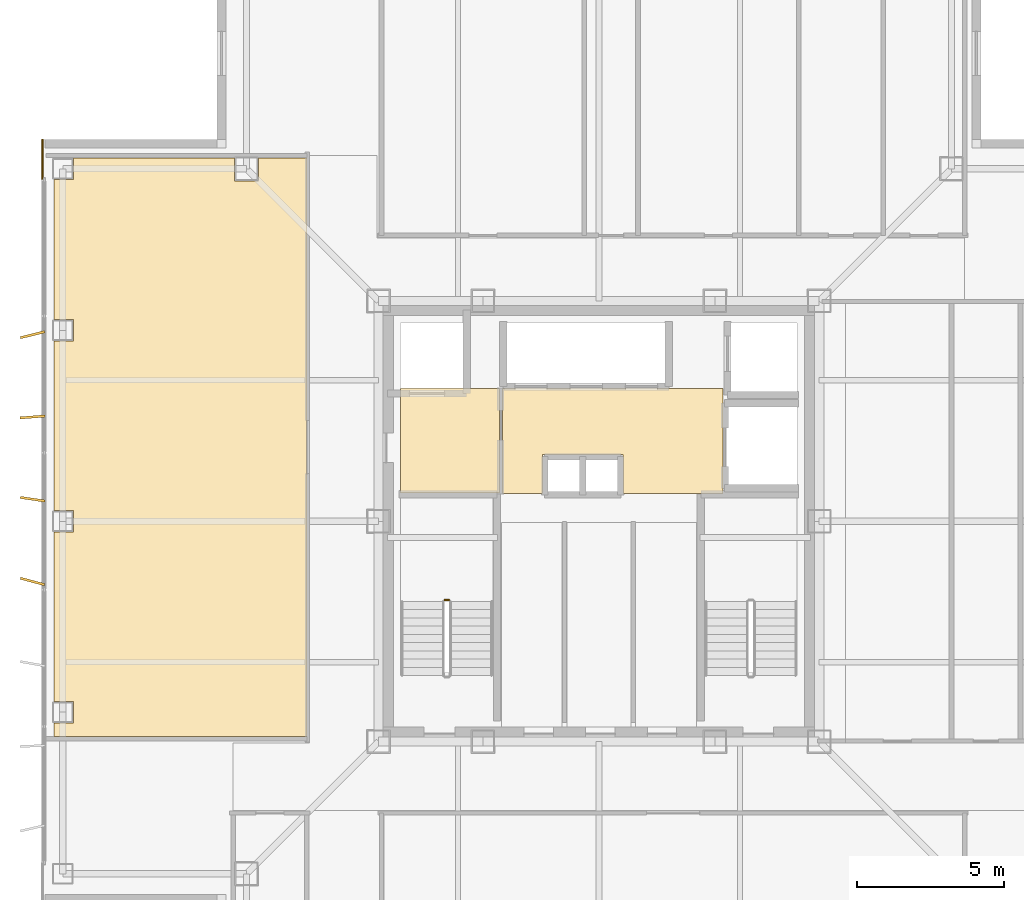
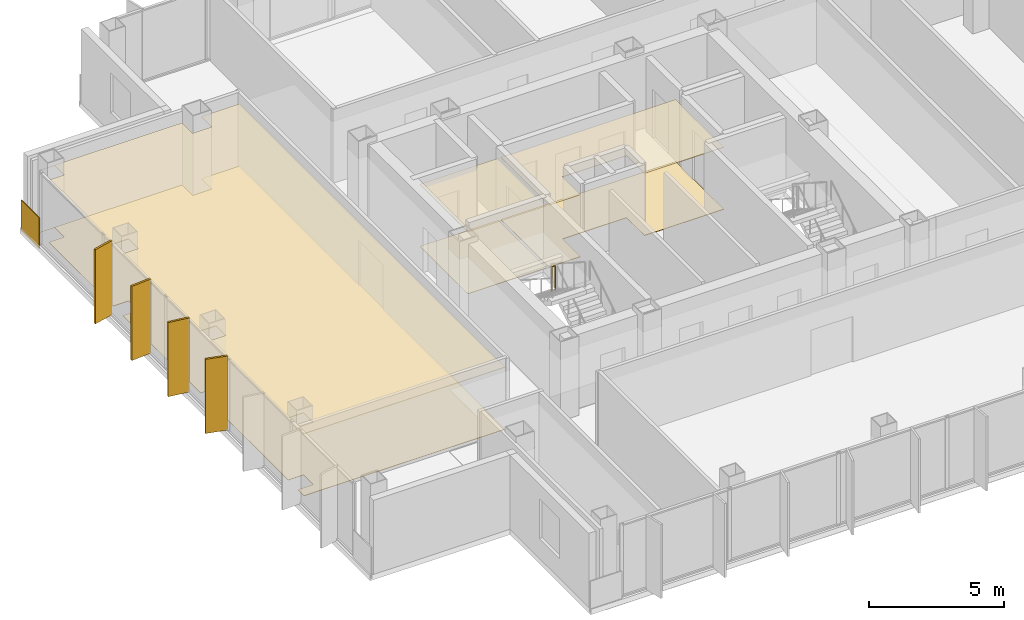
# One storey, part 12 of 15: 7 coverings, 4 shading devices, 1 railing.
"""IFC4 building model written with IfcOpenShell, lengths in metres."""

from ifc_helpers import new_model, si_unit, direction, frame, frame_2d, origin, origin_2d, place, context, subcontext, project, spatial, polyline, rectangle, circle, outline, extrude, material, layer, layer_set, type_object, element, save


model = new_model("IFC4")

# Units and contexts
model_context = context("Model", 3, precision=1e-05, world=origin(), true_north=direction((0.0, 1.0)))
body_context = subcontext(model_context, "Body", "Model", "MODEL_VIEW")
ifc_project = project(units=[si_unit("LENGTHUNIT", "METRE"), si_unit("AREAUNIT", "SQUARE_METRE"), si_unit("VOLUMEUNIT", "CUBIC_METRE"), si_unit("PLANEANGLEUNIT", "RADIAN"), si_unit("MASSUNIT", "GRAM", prefix="KILO")], contexts=[model_context])

# Site, building, storey
site_placement = place(None, origin())
site = spatial("IfcSite", under=ifc_project, at=site_placement, CompositionType="ELEMENT")
building_placement = place(site_placement, origin())
building = spatial("IfcBuilding", under=site, at=building_placement, Name="Trevonay Congress Spire", CompositionType="ELEMENT")
storey_placement = place(building_placement, frame((0.0, 0.0, 250.39990234375)))
storey = spatial("IfcBuildingStorey", under=building, at=storey_placement, Name="L65", CompositionType="ELEMENT", Elevation=250.39990234375)

# Coverings
ifc_material_1 = material(Name="Acoustic Mineral Fibre Board", Category="gypsum")
ifc_layer_1 = layer(ifc_material_1, 0.02490234375, Name="Acoustic Mineral Fibre Board")
ifc_layer_set_1 = layer_set([ifc_layer_1], Name="Acoustic Mineral Fibre Board")
covering_type_1 = type_object("IfcCoveringType", Name="COV-CEIL-ACOUSTIC", PredefinedType="CEILING", material=ifc_layer_set_1)
covering_1_placement = place(storey_placement, frame((0.0, 0.0, 2.81005859375)))
element("IfcCovering", 1, at=covering_1_placement, inside=storey, type_object=covering_type_1, Name="L65 Firefighting Lift Lobby West acoustic suspended ceiling", PredefinedType="CEILING", context=body_context, shape_type="SweptSolid", body=[
    extrude(outline(polyline([(-6.75, 0.9599609375), (-3.3798828125, 0.9599609375), (-3.3798828125, 4.52001953125), (-6.75, 4.52001953125), (-6.75, 0.9599609375)])), origin(), (0.0, 0.0, 1.0), 0.025146484375),
])
covering_2_placement = place(storey_placement, frame((0.0, 0.0, 2.81005859375)))
element("IfcCovering", 2, at=covering_2_placement, inside=storey, type_object=covering_type_1, Name="L65 Central and High-Rise Passenger Lift Lobby acoustic suspended ceiling", PredefinedType="CEILING", context=body_context, shape_type="SweptSolid", body=[
    extrude(outline(polyline([(-3.280029296875, 0.949951171875), (-1.919921875, 0.949951171875), (-1.919921875, 2.280029296875), (0.820068359375, 2.280029296875), (0.820068359375, 0.949951171875), (4.219970703125, 0.949951171875), (4.219970703125, 4.52001953125), (-3.280029296875, 4.52001953125), (-3.280029296875, 0.949951171875)])), origin(), (0.0, 0.0, 1.0), 0.025146484375),
])
covering_3_placement = place(storey_placement, frame((0.0, 0.0, 2.81005859375)))
element("IfcCovering", 3, at=covering_3_placement, inside=storey, type_object=covering_type_1, Name="L65 Mercosur Ministerial Council Chamber acoustic suspended ceiling", PredefinedType="CEILING", context=body_context, shape_type="SweptSolid", body=[
    extrude(outline(polyline([(-9.929931640625, 12.3701171875), (-9.929931640625, -7.320068359375), (-18.550048828125, -7.320068359375), (-18.550048828125, -6.860107421875), (-17.889892578125, -6.860107421875), (-17.889892578125, -6.139892578125), (-18.550048828125, -6.139892578125), (-18.550048828125, -0.360107421875), (-17.889892578125, -0.360107421875), (-17.889892578125, 0.360107421875), (-18.550048828125, 0.360107421875), (-18.550048828125, 6.139892578125), (-17.889892578125, 6.139892578125), (-17.889892578125, 6.860107421875), (-18.550048828125, 6.860107421875), (-18.550048828125, 11.639892578125), (-17.889892578125, 11.639892578125), (-17.889892578125, 12.360107421875), (-18.550048828125, 12.360107421875), (-18.550048828125, 12.3701171875), (-12.409912109375, 12.3701171875), (-12.409912109375, 11.590087890625), (-11.590087890625, 11.590087890625), (-11.590087890625, 12.3701171875), (-9.929931640625, 12.3701171875)])), origin(), (0.0, 0.0, 1.0), 0.025146484375),
])
ifc_material_2 = material(Name="Polished Granite Floor Tile", Category="masonry")
ifc_layer_2 = layer(ifc_material_2, 0.02001953125, Name="Polished Granite Floor Tile")
ifc_layer_set_2 = layer_set([ifc_layer_2], Name="Polished Granite Floor Tile")
covering_type_2 = type_object("IfcCoveringType", Name="COV-FLOOR-STONE", PredefinedType="FLOORING", material=ifc_layer_set_2)
covering_4_placement = place(storey_placement, origin())
element("IfcCovering", 4, at=covering_4_placement, inside=storey, type_object=covering_type_2, Name="L65 Firefighting Lift Lobby West floor finish", PredefinedType="FLOORING", context=body_context, shape_type="SweptSolid", body=[
    extrude(outline(polyline([(-6.75, 0.9599609375), (-3.3798828125, 0.9599609375), (-3.3798828125, 4.52001953125), (-6.75, 4.52001953125), (-6.75, 0.9599609375)])), origin(), (0.0, 0.0, 1.0), 0.02001953125),
])
covering_5_placement = place(storey_placement, origin())
element("IfcCovering", 5, at=covering_5_placement, inside=storey, type_object=covering_type_2, Name="L65 Central and High-Rise Passenger Lift Lobby floor finish", PredefinedType="FLOORING", context=body_context, shape_type="SweptSolid", body=[
    extrude(outline(polyline([(-3.280029296875, 0.949951171875), (-1.919921875, 0.949951171875), (-1.919921875, 2.280029296875), (0.820068359375, 2.280029296875), (0.820068359375, 0.949951171875), (4.219970703125, 0.949951171875), (4.219970703125, 4.52001953125), (-3.280029296875, 4.52001953125), (-3.280029296875, 0.949951171875)])), origin(), (0.0, 0.0, 1.0), 0.02001953125),
])
ifc_material_3 = material(Name="Engineered Oak Flooring", Category="wood")
ifc_layer_3 = layer(ifc_material_3, 0.01806640625, Name="Engineered Oak Flooring")
ifc_layer_set_3 = layer_set([ifc_layer_3], Name="Engineered Oak Flooring")
covering_type_3 = type_object("IfcCoveringType", Name="COV-FLOOR-TIMBER", PredefinedType="FLOORING", material=ifc_layer_set_3)
covering_6_placement = place(storey_placement, origin())
element("IfcCovering", 6, at=covering_6_placement, inside=storey, type_object=covering_type_3, Name="L65 Mercosur Ministerial Council Chamber floor finish", PredefinedType="FLOORING", context=body_context, shape_type="SweptSolid", body=[
    extrude(outline(polyline([(-9.929931640625, 12.3701171875), (-9.929931640625, -7.320068359375), (-18.550048828125, -7.320068359375), (-18.550048828125, -6.860107421875), (-17.889892578125, -6.860107421875), (-17.889892578125, -6.139892578125), (-18.550048828125, -6.139892578125), (-18.550048828125, -0.360107421875), (-17.889892578125, -0.360107421875), (-17.889892578125, 0.360107421875), (-18.550048828125, 0.360107421875), (-18.550048828125, 6.139892578125), (-17.889892578125, 6.139892578125), (-17.889892578125, 6.860107421875), (-18.550048828125, 6.860107421875), (-18.550048828125, 11.639892578125), (-17.889892578125, 11.639892578125), (-17.889892578125, 12.360107421875), (-18.550048828125, 12.360107421875), (-18.550048828125, 12.3701171875), (-12.409912109375, 12.3701171875), (-12.409912109375, 11.590087890625), (-11.590087890625, 11.590087890625), (-11.590087890625, 12.3701171875), (-9.929931640625, 12.3701171875)])), origin(), (0.0, 0.0, 1.0), 0.01806640625),
])
ifc_material_4 = material(Name="Pale Anodised Aluminium EN AW-6063-T6", Category="aluminium")
ifc_layer_4 = layer(ifc_material_4, 0.0400390625, Name="Pale Anodised Aluminium EN AW-6063-T6")
ifc_layer_set_4 = layer_set([ifc_layer_4], Name="Pale Anodised Aluminium EN AW-6063-T6")
covering_type_4 = type_object("IfcCoveringType", Name="COV-SPANDREL-PALE-METAL", PredefinedType="CLADDING", material=ifc_layer_set_4)
covering_7_placement = place(storey_placement, frame((-18.93994140625, 11.64990234375, -0.14990234375), z_axis=(0.0, 0.0, 1.0), x_axis=(0.0, 1.0, 0.0)))
element("IfcCovering", 7, at=covering_7_placement, inside=storey, type_object=covering_type_4, Name="L65 NW corner pier spandrel cladding 1", PredefinedType="CLADDING", context=body_context, shape_type="SweptSolid", body=[
    extrude(rectangle(XDim=1.35009765625, YDim=0.0400390625, at=frame_2d((0.675048828125, 0.0))), origin(), (0.0, 0.0, 1.0), 1.39990234375),
])

# Railing
railing_type = type_object("IfcRailingType", Name="RAL-STAIR-GUARD-110", PredefinedType="GUARDRAIL", material=ifc_material_4)
railing_placement = place(storey_placement, frame((-5.10009765625, -2.679931640625, 1.800048828125)))
element("IfcRailing", 8, at=railing_placement, inside=storey, type_object=railing_type, Name="L65 ST-1 stair guard 2", PredefinedType="GUARDRAIL", context=body_context, shape_type="SweptSolid", body=[
    extrude(circle(Radius=0.02392578125, at=origin_2d()), frame((0.0, 0.0, 1.1259765625), z_axis=(-1.0, 0.0, 0.0), x_axis=(0.0, -1.0, 0.0)), (0.0, 0.0, 1.0), 0.14990234375),
    extrude(circle(Radius=0.02099609375, at=origin_2d()), origin(), (0.0, 0.0, 1.0), 1.101806640625),
    extrude(circle(Radius=0.02099609375, at=origin_2d()), frame((-0.14990234375, 0.0, 0.0)), (0.0, 0.0, 1.0), 1.101806640625),
])

# Shading devices
shading_device_type = type_object("IfcShadingDeviceType", Name="SHD-FIN-Z4-PALE-METAL", PredefinedType="USERDEFINED", material=ifc_material_4)
for number, where, z_axis, x_axis, name in (
    (9, (-19.280029296875, -2.050048828125, 0.0), (0.0, 0.0, 1.0), (0.258144638645, 0.966106280664, 0.0), "L65 W vertical pale-metal solar fin 4"),
    (10, (-19.280029296875, 0.75, 0.0), (0.0, 0.0, 1.0), (0.146946275799, 0.989144474801, 0.0), "L65 W vertical pale-metal solar fin 5"),
    (11, (-19.280029296875, 3.550048828125, 0.0), (0.0, 0.0, 1.0), (-0.077067060513, 0.997025911491, 0.0), "L65 W vertical pale-metal solar fin 6"),
    (12, (-19.280029296875, 6.35009765625, 0.0), (0.0, 0.0, 1.0), (-0.241244442494, 0.970464383152, 0.0), "L65 W vertical pale-metal solar fin 7"),
):
    element("IfcShadingDevice", number, at=place(storey_placement, frame(where, z_axis=z_axis, x_axis=x_axis)), inside=storey, type_object=shading_device_type, Name=name, ObjectType="SOLAR FIN", PredefinedType="USERDEFINED", context=body_context, shape_type="SweptSolid", body=[
        extrude(rectangle(XDim=0.080078125, YDim=0.85009765625, at=origin_2d()), origin(), (0.0, 0.0, 1.0), 3.360107421875),
    ])

save(model, "model.ifc")
